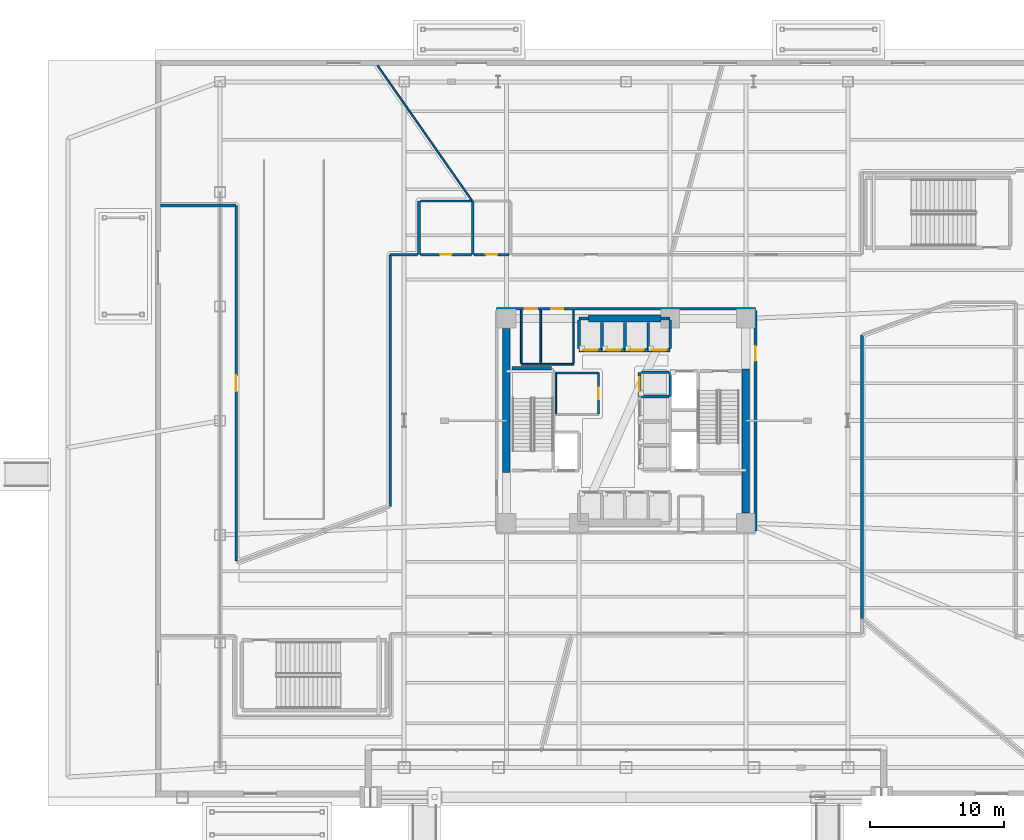
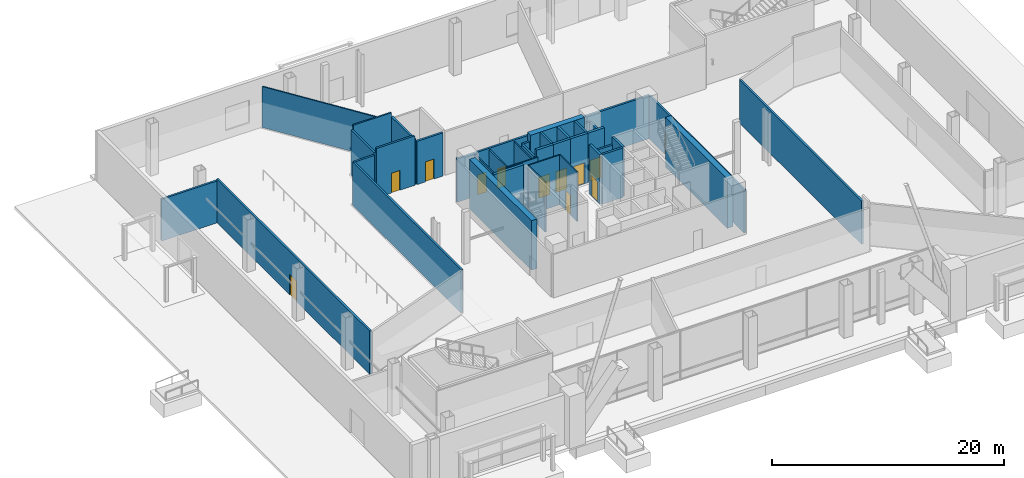
# One storey, part 16 of 27: 40 walls, 12 doors, 12 openings.
"""IFC4 building model written with IfcOpenShell, lengths in metres."""

from ifc_helpers import new_model, si_unit, direction, frame, frame_2d, origin, place, context, subcontext, project, spatial, rectangle, extrude, material, layer, layer_set, type_object, element, fill, save


model = new_model("IFC4")

# Units and contexts
model_context = context("Model", 3, precision=1e-05, world=origin(), true_north=direction((0.0, 1.0)))
body_context = subcontext(model_context, "Body", "Model", "MODEL_VIEW")
ifc_project = project(units=[si_unit("LENGTHUNIT", "METRE"), si_unit("AREAUNIT", "SQUARE_METRE"), si_unit("VOLUMEUNIT", "CUBIC_METRE"), si_unit("PLANEANGLEUNIT", "RADIAN"), si_unit("MASSUNIT", "GRAM", prefix="KILO")], contexts=[model_context])

# Site, building, storey
site_placement = place(None, origin())
site = spatial("IfcSite", under=ifc_project, at=site_placement, CompositionType="ELEMENT")
building_placement = place(site_placement, origin())
building = spatial("IfcBuilding", under=site, at=building_placement, Name="Tharavind Bronze Gate", CompositionType="ELEMENT")
storey_placement = place(building_placement, origin())
storey = spatial("IfcBuildingStorey", under=building, at=storey_placement, Name="L00", CompositionType="ELEMENT", Elevation=0.0)

# Wall, openings, doors
ifc_material_1 = material(Name="Aerated Concrete Block", Category="concrete")
ifc_layer_1 = layer(ifc_material_1, 0.199951171875)
ifc_layer_set_1 = layer_set([ifc_layer_1], Name="Aerated Concrete Block")
wall_type_1 = type_object("IfcWallType", Name="FIRE RATED PARTITION 200", PredefinedType="PARTITIONING", material=ifc_layer_set_1)
wall_1_placement = place(storey_placement, frame((9.6201171875, 8.320068359375, 0.0), z_axis=(0.0, 0.0, 1.0), x_axis=(-1.0, 0.0, 0.0)))
wall_1 = element("IfcWall", 1, at=wall_1_placement, inside=storey, type_object=wall_type_1, Name="L00 north core corridor wall", PredefinedType="PARTITIONING", context=body_context, shape_type="SweptSolid", body=[
    extrude(rectangle(XDim=19.240234375, YDim=0.199951171875, at=frame_2d((9.6201171875, 0.0))), origin(), (0.0, 0.0, 1.0), 4.56494140625),
])
opening_1_placement = place(wall_1_placement, frame((16.2451171875, 0.0, 0.0)))
opening_1 = element("IfcOpeningElement", 2, at=opening_1_placement, cuts=wall_1, Name="Opening ID07", PredefinedType="OPENING", context=body_context, shape_type="SweptSolid", body=[
    extrude(rectangle(XDim=0.89990234375, YDim=2.10009765625, at=frame_2d((0.449951171875, 1.050048828125))), frame((0.0, 0.11009765625, 0.0), z_axis=(0.0, -1.0, 0.0), x_axis=(1.0, 0.0, 0.0)), (0.0, 0.0, 1.0), 0.219951171875),
])
opening_2_placement = place(wall_1_placement, frame((14.294921875, 0.0, 0.0)))
opening_2 = element("IfcOpeningElement", 3, at=opening_2_placement, cuts=wall_1, Name="Opening ID07", PredefinedType="OPENING", context=body_context, shape_type="SweptSolid", body=[
    extrude(rectangle(XDim=0.89990234375, YDim=2.10009765625, at=frame_2d((0.449951171875, 1.050048828125))), frame((0.0, 0.11009765625, 0.0), z_axis=(0.0, -1.0, 0.0), x_axis=(1.0, 0.0, 0.0)), (0.0, 0.0, 1.0), 0.219951171875),
])
ifc_material_2 = material(Name="Galvanised Fire Steel", Category="steel")
door_type_1 = type_object("IfcDoorType", Name="PLANT AND RISER FIRE DOOR 900X2100", OperationType="SINGLE_SWING_LEFT", PredefinedType="DOOR", material=ifc_material_2)
door_1_placement = place(opening_1_placement, frame((0.89990234375, 0.0, 0.0), z_axis=(0.0, 0.0, 1.0), x_axis=(-1.0, 0.0, 0.0)))
door_1 = element("IfcDoor", 4, at=door_1_placement, inside=storey, type_object=door_type_1, Name="L00 Battery Backup Cupboard fire door", OperationType="SINGLE_SWING_LEFT", OverallHeight=2.10009765625, OverallWidth=0.89990234375, PredefinedType="DOOR", context=body_context, shape_type="SweptSolid", body=[
    extrude(rectangle(XDim=0.89990234375, YDim=2.10009765625, at=frame_2d((0.449951171875, 1.050048828125))), frame((0.0, 0.02490234375, 0.0), z_axis=(0.0, -1.0, 0.0), x_axis=(1.0, 0.0, 0.0)), (0.0, 0.0, 1.0), 0.050048828125),
])
fill(opening_1, door_1)
door_2_placement = place(opening_2_placement, frame((0.89990234375, 0.0, 0.0), z_axis=(0.0, 0.0, 1.0), x_axis=(-1.0, 0.0, 0.0)))
door_2 = element("IfcDoor", 5, at=door_2_placement, inside=storey, type_object=door_type_1, Name="L00 Cleaner Store Room fire door", OperationType="SINGLE_SWING_LEFT", OverallHeight=2.10009765625, OverallWidth=0.89990234375, PredefinedType="DOOR", context=body_context, shape_type="SweptSolid", body=[
    extrude(rectangle(XDim=0.89990234375, YDim=2.10009765625, at=frame_2d((0.449951171875, 1.050048828125))), frame((0.0, 0.02490234375, 0.0), z_axis=(0.0, -1.0, 0.0), x_axis=(1.0, 0.0, 0.0)), (0.0, 0.0, 1.0), 0.050048828125),
])
fill(opening_2, door_2)

# Wall, opening, door
wall_2_placement = place(storey_placement, frame((9.6201171875, -8.199951171875, 0.0), z_axis=(0.0, 0.0, 1.0), x_axis=(0.0, 1.0, 0.0)))
wall_2 = element("IfcWall", 6, at=wall_2_placement, inside=storey, type_object=wall_type_1, Name="L00 east core corridor wall", PredefinedType="PARTITIONING", context=body_context, shape_type="SweptSolid", body=[
    extrude(rectangle(XDim=16.39990234375, YDim=0.199951171875, at=frame_2d((8.199951171875, 0.0))), origin(), (0.0, 0.0, 1.0), 4.56494140625),
])
opening_3_placement = place(wall_2_placement, frame((12.64990234375, 0.0, 0.0)))
opening_3 = element("IfcOpeningElement", 7, at=opening_3_placement, cuts=wall_2, Name="Opening ID01", PredefinedType="OPENING", context=body_context, shape_type="SweptSolid", body=[
    extrude(rectangle(XDim=1.10009765625, YDim=2.14990234375, at=frame_2d((0.550048828125, 1.074951171875))), frame((0.0, 0.11009765625, 0.0), z_axis=(0.0, -1.0, 0.0), x_axis=(1.0, 0.0, 0.0)), (0.0, 0.0, 1.0), 0.219951171875),
])
ifc_material_3 = material(Name="Fire-Rated Steel", Category="steel")
door_type_2 = type_object("IfcDoorType", Name="STAIR CORE FIRE DOOR 1100X2150", OperationType="SINGLE_SWING_LEFT", PredefinedType="DOOR", material=ifc_material_3)
door_3_placement = place(opening_3_placement, frame((1.10009765625, 0.0, 0.0), z_axis=(0.0, 0.0, 1.0), x_axis=(-1.0, 0.0, 0.0)))
door_3 = element("IfcDoor", 8, at=door_3_placement, inside=storey, type_object=door_type_2, Name="L00 north east stair lobby fire door", OperationType="SINGLE_SWING_LEFT", OverallHeight=2.14990234375, OverallWidth=1.10009765625, PredefinedType="DOOR", context=body_context, shape_type="SweptSolid", body=[
    extrude(rectangle(XDim=1.10009765625, YDim=2.14990234375, at=frame_2d((0.550048828125, 1.074951171875))), frame((0.0, 0.02490234375, 0.0), z_axis=(0.0, -1.0, 0.0), x_axis=(1.0, 0.0, 0.0)), (0.0, 0.0, 1.0), 0.050048828125),
])
fill(opening_3, door_3)

# Wall
wall_3_placement = place(storey_placement, frame((-11.39990234375, 12.35009765625, 0.0), z_axis=(0.0, 0.0, 1.0), x_axis=(0.0, 1.0, 0.0)))
element("IfcWall", 9, at=wall_3_placement, inside=storey, type_object=wall_type_1, Name="L00 Accessible Toilet partition", PredefinedType="PARTITIONING", context=body_context, shape_type="SweptSolid", body=[
    extrude(rectangle(XDim=4.0, YDim=0.199951171875, at=frame_2d((2.0, 0.0))), origin(), (0.0, 0.0, 1.0), 4.764892578125),
])

# Wall, opening, door
wall_4_placement = place(storey_placement, frame((-8.705078125, 12.35009765625, 0.0), z_axis=(0.0, 0.0, 1.0), x_axis=(-1.0, 0.0, 0.0)))
wall_4 = element("IfcWall", 10, at=wall_4_placement, inside=storey, type_object=wall_type_1, Name="L00 Accessible Toilet partition", PredefinedType="PARTITIONING", context=body_context, shape_type="SweptSolid", body=[
    extrude(rectangle(XDim=2.58984375, YDim=0.199951171875, at=frame_2d((1.294921875, 0.0))), origin(), (0.0, 0.0, 1.0), 4.56494140625),
])
opening_4_placement = place(wall_4_placement, frame((0.8701171875, 0.0, 0.0)))
opening_4 = element("IfcOpeningElement", 11, at=opening_4_placement, cuts=wall_4, Name="Opening ID06", PredefinedType="OPENING", context=body_context, shape_type="SweptSolid", body=[
    extrude(rectangle(XDim=0.85009765625, YDim=2.10009765625, at=frame_2d((0.425048828125, 1.050048828125))), frame((0.0, 0.11009765625, 0.0), z_axis=(0.0, -1.0, 0.0), x_axis=(1.0, 0.0, 0.0)), (0.0, 0.0, 1.0), 0.219951171875),
])
ifc_material_4 = material(Name="Moisture-Resistant Timber", Category="wood")
door_type_3 = type_object("IfcDoorType", Name="BATHROOM PRIVACY DOOR 850X2100", OperationType="SINGLE_SWING_RIGHT", PredefinedType="DOOR", material=ifc_material_4)
door_4_placement = place(opening_4_placement, frame((0.85009765625, 0.0, 0.0), z_axis=(0.0, 0.0, 1.0), x_axis=(-1.0, 0.0, 0.0)))
door_4 = element("IfcDoor", 12, at=door_4_placement, inside=storey, type_object=door_type_3, Name="L00 Accessible Toilet door", OperationType="SINGLE_SWING_RIGHT", OverallHeight=2.10009765625, OverallWidth=0.85009765625, PredefinedType="DOOR", context=body_context, shape_type="SweptSolid", body=[
    extrude(rectangle(XDim=0.85009765625, YDim=2.10009765625, at=frame_2d((0.425048828125, 1.050048828125))), frame((0.0, 0.02490234375, 0.0), z_axis=(0.0, -1.0, 0.0), x_axis=(1.0, 0.0, 0.0)), (0.0, 0.0, 1.0), 0.050048828125),
])
fill(opening_4, door_4)

# Wall
wall_5_placement = place(storey_placement, frame((-15.39990234375, 12.35009765625, 0.0), z_axis=(0.0, 0.0, 1.0), x_axis=(0.0, 1.0, 0.0)))
element("IfcWall", 13, at=wall_5_placement, inside=storey, type_object=wall_type_1, Name="L00 Public Washroom partition", PredefinedType="PARTITIONING", context=body_context, shape_type="SweptSolid", body=[
    extrude(rectangle(XDim=4.0, YDim=0.199951171875, at=frame_2d((2.0, 0.0))), origin(), (0.0, 0.0, 1.0), 4.764892578125),
])

# Wall, opening, door
wall_6_placement = place(storey_placement, frame((-11.5048828125, 12.35009765625, 0.0), z_axis=(0.0, 0.0, 1.0), x_axis=(-1.0, 0.0, 0.0)))
wall_6 = element("IfcWall", 14, at=wall_6_placement, inside=storey, type_object=wall_type_1, Name="L00 Public Washroom partition", PredefinedType="PARTITIONING", context=body_context, shape_type="SweptSolid", body=[
    extrude(rectangle(XDim=3.7900390625, YDim=0.199951171875, at=frame_2d((1.89501953125, 0.0))), origin(), (0.0, 0.0, 1.0), 5.219970703125),
])
opening_5_placement = place(wall_6_placement, frame((1.469970703125, 0.0, 0.0)))
opening_5 = element("IfcOpeningElement", 15, at=opening_5_placement, cuts=wall_6, Name="Opening ID06", PredefinedType="OPENING", context=body_context, shape_type="SweptSolid", body=[
    extrude(rectangle(XDim=0.85009765625, YDim=2.10009765625, at=frame_2d((0.425048828125, 1.050048828125))), frame((0.0, 0.11009765625, 0.0), z_axis=(0.0, -1.0, 0.0), x_axis=(1.0, 0.0, 0.0)), (0.0, 0.0, 1.0), 0.219951171875),
])
door_5_placement = place(opening_5_placement, frame((0.85009765625, 0.0, 0.0), z_axis=(0.0, 0.0, 1.0), x_axis=(-1.0, 0.0, 0.0)))
door_5 = element("IfcDoor", 16, at=door_5_placement, inside=storey, type_object=door_type_3, Name="L00 Public Washroom door", OperationType="SINGLE_SWING_RIGHT", OverallHeight=2.10009765625, OverallWidth=0.85009765625, PredefinedType="DOOR", context=body_context, shape_type="SweptSolid", body=[
    extrude(rectangle(XDim=0.85009765625, YDim=2.10009765625, at=frame_2d((0.425048828125, 1.050048828125))), frame((0.0, 0.02490234375, 0.0), z_axis=(0.0, -1.0, 0.0), x_axis=(1.0, 0.0, 0.0)), (0.0, 0.0, 1.0), 0.050048828125),
])
fill(opening_5, door_5)

# Walls
wall_7_placement = place(storey_placement, frame((-29.00048828125, 16.0, 0.0), z_axis=(0.0, 0.0, 1.0), x_axis=(-1.0, 0.0, 0.0)))
element("IfcWall", 17, at=wall_7_placement, inside=storey, type_object=wall_type_1, Name="L00 North Concourse Cafe partition", PredefinedType="PARTITIONING", context=body_context, shape_type="SweptSolid", body=[
    extrude(rectangle(XDim=5.61962890625, YDim=0.199951171875, at=frame_2d((2.809814453125, 0.0))), origin(), (0.0, 0.0, 1.0), 4.4150390625),
])
wall_8_placement = place(storey_placement, frame((-15.5048828125, 12.35009765625, 0.0), z_axis=(0.0, 0.0, 1.0), x_axis=(-1.0, 0.0, 0.0)))
element("IfcWall", 18, at=wall_8_placement, inside=storey, type_object=wall_type_1, Name="L00 North Concourse Cafe partition", PredefinedType="PARTITIONING", context=body_context, shape_type="SweptSolid", body=[
    extrude(rectangle(XDim=2.04443359375, YDim=0.199951171875, at=frame_2d((1.022216796875, 0.0))), origin(), (0.0, 0.0, 1.0), 4.56494140625),
])
wall_9_placement = place(storey_placement, frame((-17.550048828125, 12.349365234375, 0.0), z_axis=(0.0, 0.0, 1.0), x_axis=(0.0, -1.0, 0.0)))
element("IfcWall", 19, at=wall_9_placement, inside=storey, type_object=wall_type_1, Name="L00 North Concourse Cafe partition", PredefinedType="PARTITIONING", context=body_context, shape_type="SweptSolid", body=[
    extrude(rectangle(XDim=18.719482421875, YDim=0.199951171875, at=frame_2d((9.35986328125, 0.0))), origin(), (0.0, 0.0, 1.0), 4.56494140625),
])

# Wall, opening, door
wall_10_placement = place(storey_placement, frame((-29.0, -10.443359375, 0.0), z_axis=(0.0, 0.0, 1.0), x_axis=(0.0, 1.0, 0.0)))
wall_10 = element("IfcWall", 20, at=wall_10_placement, inside=storey, type_object=wall_type_1, Name="L00 North Concourse Cafe partition", PredefinedType="PARTITIONING", context=body_context, shape_type="SweptSolid", body=[
    extrude(rectangle(XDim=26.44287109375, YDim=0.199951171875, at=frame_2d((13.221435546875, 0.0))), origin(), (0.0, 0.0, 1.0), 4.56494140625),
])
opening_6_placement = place(wall_10_placement, frame((12.62109375, 0.0, 0.0)))
opening_6 = element("IfcOpeningElement", 21, at=opening_6_placement, cuts=wall_10, Name="Opening ID05", PredefinedType="OPENING", context=body_context, shape_type="SweptSolid", body=[
    extrude(rectangle(XDim=1.199951171875, YDim=2.14990234375, at=frame_2d((0.60009765625, 1.074951171875))), frame((0.0, 0.11009765625, 0.0), z_axis=(0.0, -1.0, 0.0), x_axis=(1.0, 0.0, 0.0)), (0.0, 0.0, 1.0), 0.219951171875),
])
ifc_material_5 = material(Name="Acoustic Laminated Glass", Category="glass")
door_type_4 = type_object("IfcDoorType", Name="MEETING ROOM GLAZED DOOR 1200X2150", OperationType="SINGLE_SWING_LEFT", PredefinedType="DOOR", material=ifc_material_5)
door_6_placement = place(opening_6_placement, frame((1.199951171875, 0.0, 0.0), z_axis=(0.0, 0.0, 1.0), x_axis=(-1.0, 0.0, 0.0)))
door_6 = element("IfcDoor", 22, at=door_6_placement, inside=storey, type_object=door_type_4, Name="L00 North Concourse Cafe door", OperationType="SINGLE_SWING_LEFT", OverallHeight=2.14990234375, OverallWidth=1.199951171875, PredefinedType="DOOR", context=body_context, shape_type="SweptSolid", body=[
    extrude(rectangle(XDim=1.199951171875, YDim=2.14990234375, at=frame_2d((0.60009765625, 1.074951171875))), frame((0.0, 0.02490234375, 0.0), z_axis=(0.0, -1.0, 0.0), x_axis=(1.0, 0.0, 0.0)), (0.0, 0.0, 1.0), 0.050048828125),
])
fill(opening_6, door_6)

# Wall
wall_11_placement = place(storey_placement, frame((17.550048828125, -14.714599609375, 0.0), z_axis=(0.0, 0.0, 1.0), x_axis=(0.0, 1.0, 0.0)))
element("IfcWall", 23, at=wall_11_placement, inside=storey, type_object=wall_type_1, Name="L00 East Colonnade Retail Shop partition", PredefinedType="PARTITIONING", context=body_context, shape_type="SweptSolid", body=[
    extrude(rectangle(XDim=21.084716796875, YDim=0.199951171875, at=frame_2d((10.54248046875, 0.0))), origin(), (0.0, 0.0, 1.0), 4.56494140625),
])

# Wall, opening, door
ifc_material_6 = material(Name="Metal Stud Gypsum Partition", Category="gypsum")
ifc_layer_2 = layer(ifc_material_6, 0.1201171875)
ifc_layer_set_2 = layer_set([ifc_layer_2], Name="Metal Stud Gypsum Partition")
wall_type_2 = type_object("IfcWallType", Name="INTERIOR PARTITION WALL 120", PredefinedType="PARTITIONING", material=ifc_layer_set_2)
wall_12_placement = place(storey_placement, frame((-2.050048828125, 0.514892578125, 0.0), z_axis=(0.0, 0.0, 1.0), x_axis=(0.0, 1.0, 0.0)))
wall_12 = element("IfcWall", 24, at=wall_12_placement, inside=storey, type_object=wall_type_2, Name="L00 Electrical & Telecom Store partition 2", PredefinedType="PARTITIONING", context=body_context, shape_type="SweptSolid", body=[
    extrude(rectangle(XDim=3.03515625, YDim=0.1201171875, at=frame_2d((1.517578125, 0.0))), origin(), (0.0, 0.0, 1.0), 5.219970703125),
])
opening_7_placement = place(wall_12_placement, frame((1.092041015625, 0.0, 0.0)))
opening_7 = element("IfcOpeningElement", 25, at=opening_7_placement, cuts=wall_12, Name="Opening ID06", PredefinedType="OPENING", context=body_context, shape_type="SweptSolid", body=[
    extrude(rectangle(XDim=0.85009765625, YDim=2.10009765625, at=frame_2d((0.425048828125, 1.050048828125))), frame((0.0, 0.07005859375, 0.0), z_axis=(0.0, -1.0, 0.0), x_axis=(1.0, 0.0, 0.0)), (0.0, 0.0, 1.0), 0.1401171875),
])
door_7_placement = place(opening_7_placement, frame((0.85009765625, 0.0, 0.0), z_axis=(0.0, 0.0, 1.0), x_axis=(-1.0, 0.0, 0.0)))
door_7 = element("IfcDoor", 26, at=door_7_placement, inside=storey, type_object=door_type_3, Name="L00 Electrical & Telecom Store door", OperationType="SINGLE_SWING_RIGHT", OverallHeight=2.10009765625, OverallWidth=0.85009765625, PredefinedType="DOOR", context=body_context, shape_type="SweptSolid", body=[
    extrude(rectangle(XDim=0.85009765625, YDim=2.10009765625, at=frame_2d((0.425048828125, 1.050048828125))), frame((0.0, 0.02490234375, 0.0), z_axis=(0.0, -1.0, 0.0), x_axis=(1.0, 0.0, 0.0)), (0.0, 0.0, 1.0), 0.050048828125),
])
fill(opening_7, door_7)

# Walls
wall_13_placement = place(storey_placement, frame((-2.114990234375, 3.550048828125, 0.0), z_axis=(0.0, 0.0, 1.0), x_axis=(-1.0, 0.0, 0.0)))
element("IfcWall", 27, at=wall_13_placement, inside=storey, type_object=wall_type_2, Name="L00 Electrical & Telecom Store partition 3", PredefinedType="PARTITIONING", context=body_context, shape_type="SweptSolid", body=[
    extrude(rectangle(XDim=3.10498046875, YDim=0.1201171875, at=frame_2d((1.552490234375, 0.0))), origin(), (0.0, 0.0, 1.0), 5.219970703125),
])
wall_14_placement = place(storey_placement, frame((-5.219970703125, 3.485107421875, 0.0), z_axis=(0.0, 0.0, 1.0), x_axis=(0.0, -1.0, 0.0)))
element("IfcWall", 28, at=wall_14_placement, inside=storey, type_object=wall_type_2, Name="L00 Electrical & Telecom Store partition 4", PredefinedType="PARTITIONING", context=body_context, shape_type="SweptSolid", body=[
    extrude(rectangle(XDim=2.97021484375, YDim=0.1201171875, at=frame_2d((1.485107421875, 0.0))), origin(), (0.0, 0.0, 1.0), 5.219970703125),
])
wall_15_placement = place(storey_placement, frame((-7.800048828125, 4.199951171875, 0.0), z_axis=(0.0, 0.0, 1.0), x_axis=(1.0, 0.0, 0.0)))
element("IfcWall", 29, at=wall_15_placement, inside=storey, type_object=wall_type_2, Name="L00 Battery Backup Cupboard partition 1", PredefinedType="PARTITIONING", context=body_context, shape_type="SweptSolid", body=[
    extrude(rectangle(XDim=1.449951171875, YDim=0.1201171875, at=frame_2d((0.72509765625, 0.0))), origin(), (0.0, 0.0, 1.0), 5.219970703125),
])
for number, where, z_axis, x_axis, name in (
    (30, (-6.35009765625, 4.264892578125, 0.0), (0.0, 0.0, 1.0), (0.0, 1.0, 0.0), "L00 Battery Backup Cupboard partition 2"),
    (31, (-7.800048828125, 8.215087890625, 0.0), (0.0, 0.0, 1.0), (0.0, -1.0, 0.0), "L00 Battery Backup Cupboard partition 4"),
):
    element("IfcWall", number, at=place(storey_placement, frame(where, z_axis=z_axis, x_axis=x_axis)), inside=storey, type_object=wall_type_2, Name=name, PredefinedType="PARTITIONING", context=body_context, shape_type="SweptSolid", body=[
        extrude(rectangle(XDim=3.9501953125, YDim=0.1201171875, at=frame_2d((1.97509765625, 0.0))), origin(), (0.0, 0.0, 1.0), 4.4150390625),
    ])
wall_16_placement = place(storey_placement, frame((-6.35009765625, 4.199951171875, 0.0), z_axis=(0.0, 0.0, 1.0), x_axis=(1.0, 0.0, 0.0)))
element("IfcWall", 32, at=wall_16_placement, inside=storey, type_object=wall_type_2, Name="L00 Cleaner Store Room partition 1", PredefinedType="PARTITIONING", context=body_context, shape_type="SweptSolid", body=[
    extrude(rectangle(XDim=2.4501953125, YDim=0.1201171875, at=frame_2d((1.22509765625, 0.0))), origin(), (0.0, 0.0, 1.0), 5.219970703125),
])
wall_17_placement = place(storey_placement, frame((-3.89990234375, 4.264892578125, 0.0), z_axis=(0.0, 0.0, 1.0), x_axis=(0.0, 1.0, 0.0)))
element("IfcWall", 33, at=wall_17_placement, inside=storey, type_object=wall_type_2, Name="L00 Cleaner Store Room partition 2", PredefinedType="PARTITIONING", context=body_context, shape_type="SweptSolid", body=[
    extrude(rectangle(XDim=3.9501953125, YDim=0.1201171875, at=frame_2d((1.97509765625, 0.0))), origin(), (0.0, 0.0, 1.0), 4.4150390625),
])
wall_18_placement = place(storey_placement, frame((-11.455810546875, 16.360595703125, 0.0), z_axis=(0.0, 0.0, 1.0), x_axis=(-0.573581089452, 0.819148786133, 0.0)))
element("IfcWall", 34, at=wall_18_placement, inside=storey, type_object=wall_type_2, Name="L00 Fire Command Centre partition", PredefinedType="PARTITIONING", context=body_context, shape_type="SweptSolid", body=[
    extrude(rectangle(XDim=12.2802734375, YDim=0.1201171875, at=frame_2d((6.14013671875, 0.0))), origin(), (0.0, 0.0, 1.0), 4.31494140625),
])
ifc_material_7 = material(Name="Twin Stud Acoustic Gypsum", Category="gypsum")
ifc_layer_3 = layer(ifc_material_7, 0.14990234375)
ifc_layer_set_3 = layer_set([ifc_layer_3], Name="Twin Stud Acoustic Gypsum")
wall_type_3 = type_object("IfcWallType", Name="INTERIOR PARTITION WALL 150", PredefinedType="PARTITIONING", material=ifc_layer_set_3)
wall_19_placement = place(storey_placement, frame((-15.294921875, 16.35009765625, 0.0), z_axis=(0.0, 0.0, 1.0), x_axis=(1.0, 0.0, 0.0)))
element("IfcWall", 35, at=wall_19_placement, inside=storey, type_object=wall_type_3, Name="L00 Public Washroom partition", PredefinedType="PARTITIONING", context=body_context, shape_type="SweptSolid", body=[
    extrude(rectangle(XDim=3.7900390625, YDim=0.14990234375, at=frame_2d((1.89501953125, 0.0))), origin(), (0.0, 0.0, 1.0), 5.219970703125),
])
ifc_material_8 = material(Name="Concrete C50/60", Category="concrete")
ifc_layer_4 = layer(ifc_material_8, 0.25)
ifc_layer_set_4 = layer_set([ifc_layer_4], Name="Concrete C50/60")
wall_type_4 = type_object("IfcWallType", Name="RC CORE SHEAR WALL 250", PredefinedType="SHEAR", material=ifc_layer_set_4)
wall_20_placement = place(storey_placement, frame((-8.5, 3.89990234375, 0.0), z_axis=(0.0, 0.0, 1.0), x_axis=(1.0, 0.0, 0.0)))
element("IfcWall", 36, at=wall_20_placement, inside=storey, type_object=wall_type_4, Name="L00 ST1 shaft north wall", PredefinedType="SHEAR", context=body_context, shape_type="SweptSolid", body=[
    extrude(rectangle(XDim=2.949951171875, YDim=0.25, at=frame_2d((1.47509765625, 0.0))), origin(), (0.0, 0.0, 1.0), 5.219970703125),
])

# Wall, opening, door
wall_21_placement = place(storey_placement, frame((-3.5, 5.25, 0.0), z_axis=(0.0, 0.0, 1.0), x_axis=(1.0, 0.0, 0.0)))
wall_21 = element("IfcWall", 37, at=wall_21_placement, inside=storey, type_object=wall_type_4, Name="L00 lift PL5 shaft front wall", PredefinedType="SHEAR", context=body_context, shape_type="SweptSolid", body=[
    extrude(rectangle(XDim=1.71240234375, YDim=0.25, at=frame_2d((0.856201171875, 0.0))), origin(), (0.0, 0.0, 1.0), 5.219970703125),
])
opening_8_placement = place(wall_21_placement, frame((0.305908203125, 0.0, 0.0)))
opening_8 = element("IfcOpeningElement", 38, at=opening_8_placement, cuts=wall_21, Name="Opening LD01", PredefinedType="OPENING", context=body_context, shape_type="SweptSolid", body=[
    extrude(rectangle(XDim=1.10009765625, YDim=2.199951171875, at=frame_2d((0.550048828125, 1.10009765625))), frame((0.0, 0.135, 0.0), z_axis=(0.0, -1.0, 0.0), x_axis=(1.0, 0.0, 0.0)), (0.0, 0.0, 1.0), 0.27),
])
ifc_material_9 = material(Name="Brushed Bronze Stainless Steel", Category="steel")
door_type_5 = type_object("IfcDoorType", Name="LIFT LANDING SLIDING DOOR 1100X2200", OperationType="SLIDING_TO_LEFT", PredefinedType="DOOR", material=ifc_material_9)
door_8_placement = place(opening_8_placement, origin())
door_8 = element("IfcDoor", 39, at=door_8_placement, inside=storey, type_object=door_type_5, Name="L00 lift PL5 sliding landing door", OperationType="SLIDING_TO_LEFT", OverallHeight=2.199951171875, OverallWidth=1.10009765625, PredefinedType="DOOR", context=body_context, shape_type="SweptSolid", body=[
    extrude(rectangle(XDim=1.10009765625, YDim=2.199951171875, at=frame_2d((0.550048828125, 1.10009765625))), frame((0.0, 0.02490234375, 0.0), z_axis=(0.0, -1.0, 0.0), x_axis=(1.0, 0.0, 0.0)), (0.0, 0.0, 1.0), 0.050048828125),
])
fill(opening_8, door_8)

wall_22_placement = place(storey_placement, frame((-1.78759765625, 5.25, 0.0), z_axis=(0.0, 0.0, 1.0), x_axis=(1.0, 0.0, 0.0)))
wall_22 = element("IfcWall", 40, at=wall_22_placement, inside=storey, type_object=wall_type_4, Name="L00 lift PL6 shaft front wall", PredefinedType="SHEAR", context=body_context, shape_type="SweptSolid", body=[
    extrude(rectangle(XDim=1.712646484375, YDim=0.25, at=frame_2d((0.8564453125, 0.0))), origin(), (0.0, 0.0, 1.0), 5.219970703125),
])
opening_9_placement = place(wall_22_placement, frame((0.305908203125, 0.0, 0.0)))
opening_9 = element("IfcOpeningElement", 41, at=opening_9_placement, cuts=wall_22, Name="Opening LD01", PredefinedType="OPENING", context=body_context, shape_type="SweptSolid", body=[
    extrude(rectangle(XDim=1.10009765625, YDim=2.199951171875, at=frame_2d((0.550048828125, 1.10009765625))), frame((0.0, 0.135, 0.0), z_axis=(0.0, -1.0, 0.0), x_axis=(1.0, 0.0, 0.0)), (0.0, 0.0, 1.0), 0.27),
])
door_9_placement = place(opening_9_placement, origin())
door_9 = element("IfcDoor", 42, at=door_9_placement, inside=storey, type_object=door_type_5, Name="L00 lift PL6 sliding landing door", OperationType="SLIDING_TO_LEFT", OverallHeight=2.199951171875, OverallWidth=1.10009765625, PredefinedType="DOOR", context=body_context, shape_type="SweptSolid", body=[
    extrude(rectangle(XDim=1.10009765625, YDim=2.199951171875, at=frame_2d((0.550048828125, 1.10009765625))), frame((0.0, 0.02490234375, 0.0), z_axis=(0.0, -1.0, 0.0), x_axis=(1.0, 0.0, 0.0)), (0.0, 0.0, 1.0), 0.050048828125),
])
fill(opening_9, door_9)

wall_23_placement = place(storey_placement, frame((-0.074951171875, 5.25, 0.0), z_axis=(0.0, 0.0, 1.0), x_axis=(1.0, 0.0, 0.0)))
wall_23 = element("IfcWall", 43, at=wall_23_placement, inside=storey, type_object=wall_type_4, Name="L00 lift PL7 shaft front wall", PredefinedType="SHEAR", context=body_context, shape_type="SweptSolid", body=[
    extrude(rectangle(XDim=1.71240234375, YDim=0.25, at=frame_2d((0.856201171875, 0.0))), origin(), (0.0, 0.0, 1.0), 5.219970703125),
])
opening_10_placement = place(wall_23_placement, frame((0.305908203125, 0.0, 0.0)))
opening_10 = element("IfcOpeningElement", 44, at=opening_10_placement, cuts=wall_23, Name="Opening LD01", PredefinedType="OPENING", context=body_context, shape_type="SweptSolid", body=[
    extrude(rectangle(XDim=1.10009765625, YDim=2.199951171875, at=frame_2d((0.550048828125, 1.10009765625))), frame((0.0, 0.135, 0.0), z_axis=(0.0, -1.0, 0.0), x_axis=(1.0, 0.0, 0.0)), (0.0, 0.0, 1.0), 0.27),
])
door_10_placement = place(opening_10_placement, origin())
door_10 = element("IfcDoor", 45, at=door_10_placement, inside=storey, type_object=door_type_5, Name="L00 lift PL7 sliding landing door", OperationType="SLIDING_TO_LEFT", OverallHeight=2.199951171875, OverallWidth=1.10009765625, PredefinedType="DOOR", context=body_context, shape_type="SweptSolid", body=[
    extrude(rectangle(XDim=1.10009765625, YDim=2.199951171875, at=frame_2d((0.550048828125, 1.10009765625))), frame((0.0, 0.02490234375, 0.0), z_axis=(0.0, -1.0, 0.0), x_axis=(1.0, 0.0, 0.0)), (0.0, 0.0, 1.0), 0.050048828125),
])
fill(opening_10, door_10)

wall_24_placement = place(storey_placement, frame((1.637451171875, 5.25, 0.0), z_axis=(0.0, 0.0, 1.0), x_axis=(1.0, 0.0, 0.0)))
wall_24 = element("IfcWall", 46, at=wall_24_placement, inside=storey, type_object=wall_type_4, Name="L00 lift PL8 shaft front wall", PredefinedType="SHEAR", context=body_context, shape_type="SweptSolid", body=[
    extrude(rectangle(XDim=1.642578125, YDim=0.25, at=frame_2d((0.8212890625, 0.0))), origin(), (0.0, 0.0, 1.0), 5.219970703125),
])
opening_11_placement = place(wall_24_placement, frame((0.27099609375, 0.0, 0.0)))
opening_11 = element("IfcOpeningElement", 47, at=opening_11_placement, cuts=wall_24, Name="Opening LD01", PredefinedType="OPENING", context=body_context, shape_type="SweptSolid", body=[
    extrude(rectangle(XDim=1.10009765625, YDim=2.199951171875, at=frame_2d((0.550048828125, 1.10009765625))), frame((0.0, 0.135, 0.0), z_axis=(0.0, -1.0, 0.0), x_axis=(1.0, 0.0, 0.0)), (0.0, 0.0, 1.0), 0.27),
])
door_11_placement = place(opening_11_placement, origin())
door_11 = element("IfcDoor", 48, at=door_11_placement, inside=storey, type_object=door_type_5, Name="L00 lift PL8 sliding landing door", OperationType="SLIDING_TO_LEFT", OverallHeight=2.199951171875, OverallWidth=1.10009765625, PredefinedType="DOOR", context=body_context, shape_type="SweptSolid", body=[
    extrude(rectangle(XDim=1.10009765625, YDim=2.199951171875, at=frame_2d((0.550048828125, 1.10009765625))), frame((0.0, 0.02490234375, 0.0), z_axis=(0.0, -1.0, 0.0), x_axis=(1.0, 0.0, 0.0)), (0.0, 0.0, 1.0), 0.050048828125),
])
fill(opening_11, door_11)

wall_25_placement = place(storey_placement, frame((1.0, 1.800048828125, 0.0), z_axis=(0.0, 0.0, 1.0), x_axis=(0.0, 1.0, 0.0)))
wall_25 = element("IfcWall", 49, at=wall_25_placement, inside=storey, type_object=wall_type_4, Name="L00 lift PL12 shaft front wall", PredefinedType="SHEAR", context=body_context, shape_type="SweptSolid", body=[
    extrude(rectangle(XDim=1.800048828125, YDim=0.25, at=frame_2d((0.89990234375, 0.0))), origin(), (0.0, 0.0, 1.0), 5.219970703125),
])
opening_12_placement = place(wall_25_placement, frame((0.35009765625, 0.0, 0.0)))
opening_12 = element("IfcOpeningElement", 50, at=opening_12_placement, cuts=wall_25, Name="Opening LD01", PredefinedType="OPENING", context=body_context, shape_type="SweptSolid", body=[
    extrude(rectangle(XDim=1.10009765625, YDim=2.199951171875, at=frame_2d((0.550048828125, 1.10009765625))), frame((0.0, 0.135, 0.0), z_axis=(0.0, -1.0, 0.0), x_axis=(1.0, 0.0, 0.0)), (0.0, 0.0, 1.0), 0.27),
])
door_12_placement = place(opening_12_placement, origin())
door_12 = element("IfcDoor", 51, at=door_12_placement, inside=storey, type_object=door_type_5, Name="L00 lift PL12 sliding landing door", OperationType="SLIDING_TO_LEFT", OverallHeight=2.199951171875, OverallWidth=1.10009765625, PredefinedType="DOOR", context=body_context, shape_type="SweptSolid", body=[
    extrude(rectangle(XDim=1.10009765625, YDim=2.199951171875, at=frame_2d((0.550048828125, 1.10009765625))), frame((0.0, 0.02490234375, 0.0), z_axis=(0.0, -1.0, 0.0), x_axis=(1.0, 0.0, 0.0)), (0.0, 0.0, 1.0), 0.050048828125),
])
fill(opening_12, door_12)

# Walls
ifc_material_10 = material(Name="Concrete C60/75", Category="concrete")
ifc_layer_5 = layer(ifc_material_10, 0.550048828125)
ifc_layer_set_5 = layer_set([ifc_layer_5], Name="Concrete C60/75")
wall_type_5 = type_object("IfcWallType", Name="RC CORE SHEAR WALL 550", PredefinedType="SHEAR", material=ifc_layer_set_5)
wall_26_placement = place(storey_placement, frame((-2.800048828125, 7.60009765625, 0.0), z_axis=(0.0, 0.0, 1.0), x_axis=(1.0, 0.0, 0.0)))
element("IfcWall", 52, at=wall_26_placement, inside=storey, type_object=wall_type_5, Name="L00 north core shear wall", PredefinedType="SHEAR", context=body_context, shape_type="SweptSolid", body=[
    extrude(rectangle(XDim=5.380126953125, YDim=0.550048828125, at=frame_2d((2.68994140625, 0.0))), origin(), (0.0, 0.0, 1.0), 5.219970703125),
])
for number, where, z_axis, x_axis, name in (
    (53, (-8.89990234375, -3.85009765625, 0.0), (0.0, 0.0, 1.0), (0.0, 1.0, 0.0), "L00 west core shear wall"),
    (54, (8.89990234375, -6.85009765625, 0.0), (0.0, 0.0, 1.0), (0.0, 1.0, 0.0), "L00 east core shear wall"),
):
    element("IfcWall", number, at=place(storey_placement, frame(where, z_axis=z_axis, x_axis=x_axis)), inside=storey, type_object=wall_type_5, Name=name, PredefinedType="SHEAR", context=body_context, shape_type="SweptSolid", body=[
        extrude(rectangle(XDim=10.7001953125, YDim=0.550048828125, at=frame_2d((5.35009765625, 0.0))), origin(), (0.0, 0.0, 1.0), 5.219970703125),
    ])
ifc_material_11 = material(Name="Concrete C40/50", Category="concrete")
ifc_layer_6 = layer(ifc_material_11, 0.199951171875)
ifc_layer_set_6 = layer_set([ifc_layer_6], Name="Concrete C40/50")
wall_type_6 = type_object("IfcWallType", Name="SHAFT ENCLOSURE WALL 200", PredefinedType="PARTITIONING", material=ifc_layer_set_6)
wall_27_placement = place(storey_placement, frame((-3.5, 7.60009765625, 0.0), z_axis=(0.0, 0.0, 1.0), x_axis=(1.0, 0.0, 0.0)))
element("IfcWall", 55, at=wall_27_placement, inside=storey, type_object=wall_type_6, Name="L00 lift PL5 shaft N enclosure wall", PredefinedType="PARTITIONING", context=body_context, shape_type="SweptSolid", body=[
    extrude(rectangle(XDim=0.699951171875, YDim=0.199951171875, at=frame_2d((0.35009765625, 0.0))), origin(), (0.0, 0.0, 1.0), 4.4150390625),
])
wall_28_placement = place(storey_placement, frame((-3.5, 5.3798828125, 0.0), z_axis=(0.0, 0.0, 1.0), x_axis=(0.0, 1.0, 0.0)))
element("IfcWall", 56, at=wall_28_placement, inside=storey, type_object=wall_type_6, Name="L00 lift PL5 shaft W enclosure wall", PredefinedType="PARTITIONING", context=body_context, shape_type="SweptSolid", body=[
    extrude(rectangle(XDim=2.115234375, YDim=0.199951171875, at=frame_2d((1.0576171875, 0.0))), origin(), (0.0, 0.0, 1.0), 4.4150390625),
])
for number, where, z_axis, x_axis, name in (
    (57, (-1.78759765625, 5.3798828125, 0.0), (0.0, 0.0, 1.0), (0.0, 1.0, 0.0), "L00 lift PL5 shaft E enclosure wall"),
    (58, (-0.074951171875, 5.3798828125, 0.0), (0.0, 0.0, 1.0), (0.0, 1.0, 0.0), "L00 lift PL6 shaft E enclosure wall"),
    (59, (1.637451171875, 5.3798828125, 0.0), (0.0, 0.0, 1.0), (0.0, 1.0, 0.0), "L00 lift PL7 shaft E enclosure wall"),
):
    element("IfcWall", number, at=place(storey_placement, frame(where, z_axis=z_axis, x_axis=x_axis)), inside=storey, type_object=wall_type_6, Name=name, PredefinedType="PARTITIONING", context=body_context, shape_type="SweptSolid", body=[
        extrude(rectangle(XDim=1.940185546875, YDim=0.199951171875, at=frame_2d((0.97021484375, 0.0))), origin(), (0.0, 0.0, 1.0), 5.219970703125),
    ])
wall_29_placement = place(storey_placement, frame((2.580078125, 7.60009765625, 0.0), z_axis=(0.0, 0.0, 1.0), x_axis=(1.0, 0.0, 0.0)))
element("IfcWall", 60, at=wall_29_placement, inside=storey, type_object=wall_type_6, Name="L00 lift PL8 shaft N enclosure wall", PredefinedType="PARTITIONING", context=body_context, shape_type="SweptSolid", body=[
    extrude(rectangle(XDim=0.699951171875, YDim=0.199951171875, at=frame_2d((0.35009765625, 0.0))), origin(), (0.0, 0.0, 1.0), 4.4150390625),
])
wall_30_placement = place(storey_placement, frame((3.280029296875, 5.3798828125, 0.0), z_axis=(0.0, 0.0, 1.0), x_axis=(0.0, 1.0, 0.0)))
element("IfcWall", 61, at=wall_30_placement, inside=storey, type_object=wall_type_6, Name="L00 lift PL8 shaft E enclosure wall", PredefinedType="PARTITIONING", context=body_context, shape_type="SweptSolid", body=[
    extrude(rectangle(XDim=2.115234375, YDim=0.199951171875, at=frame_2d((1.0576171875, 0.0))), origin(), (0.0, 0.0, 1.0), 4.4150390625),
])
wall_31_placement = place(storey_placement, frame((1.1298828125, 1.800048828125, 0.0), z_axis=(0.0, 0.0, 1.0), x_axis=(1.0, 0.0, 0.0)))
element("IfcWall", 62, at=wall_31_placement, inside=storey, type_object=wall_type_6, Name="L00 lift PL11 shaft N enclosure wall", PredefinedType="PARTITIONING", context=body_context, shape_type="SweptSolid", body=[
    extrude(rectangle(XDim=2.045166015625, YDim=0.199951171875, at=frame_2d((1.0224609375, 0.0))), origin(), (0.0, 0.0, 1.0), 5.219970703125),
])
wall_32_placement = place(storey_placement, frame((3.280029296875, 1.800048828125, 0.0), z_axis=(0.0, 0.0, 1.0), x_axis=(0.0, 1.0, 0.0)))
element("IfcWall", 63, at=wall_32_placement, inside=storey, type_object=wall_type_6, Name="L00 lift PL12 shaft E enclosure wall", PredefinedType="PARTITIONING", context=body_context, shape_type="SweptSolid", body=[
    extrude(rectangle(XDim=1.800048828125, YDim=0.199951171875, at=frame_2d((0.89990234375, 0.0))), origin(), (0.0, 0.0, 1.0), 5.219970703125),
])
wall_33_placement = place(storey_placement, frame((1.1298828125, 3.60009765625, 0.0), z_axis=(0.0, 0.0, 1.0), x_axis=(1.0, 0.0, 0.0)))
element("IfcWall", 64, at=wall_33_placement, inside=storey, type_object=wall_type_6, Name="L00 lift PL12 shaft N enclosure wall", PredefinedType="PARTITIONING", context=body_context, shape_type="SweptSolid", body=[
    extrude(rectangle(XDim=2.045166015625, YDim=0.199951171875, at=frame_2d((1.0224609375, 0.0))), origin(), (0.0, 0.0, 1.0), 4.4150390625),
])

save(model, "model.ifc")
